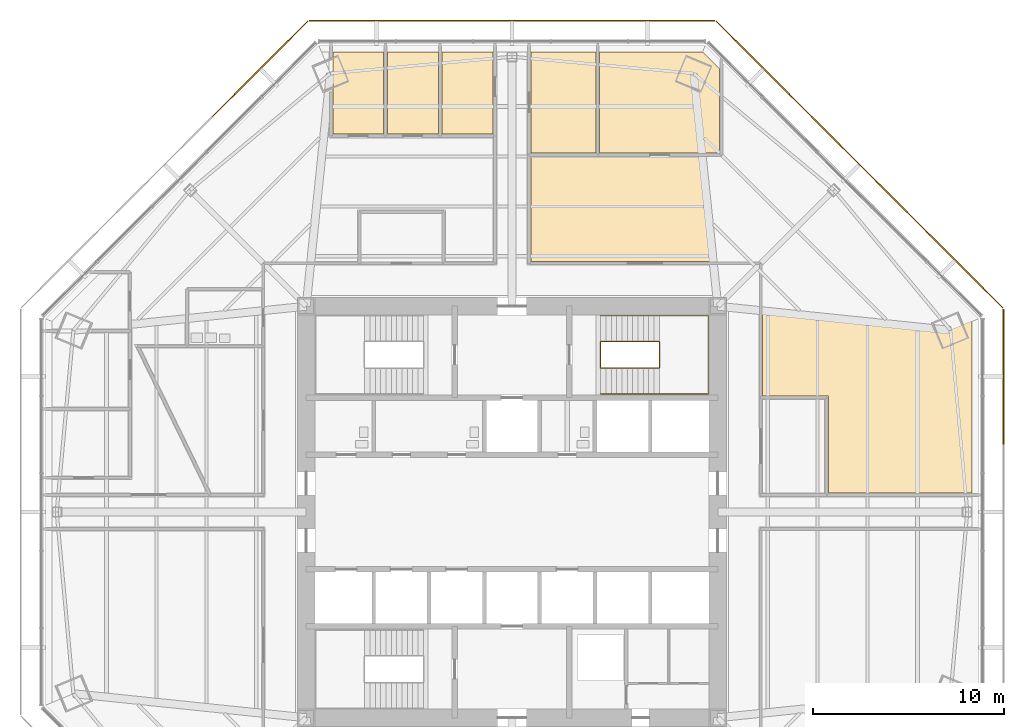
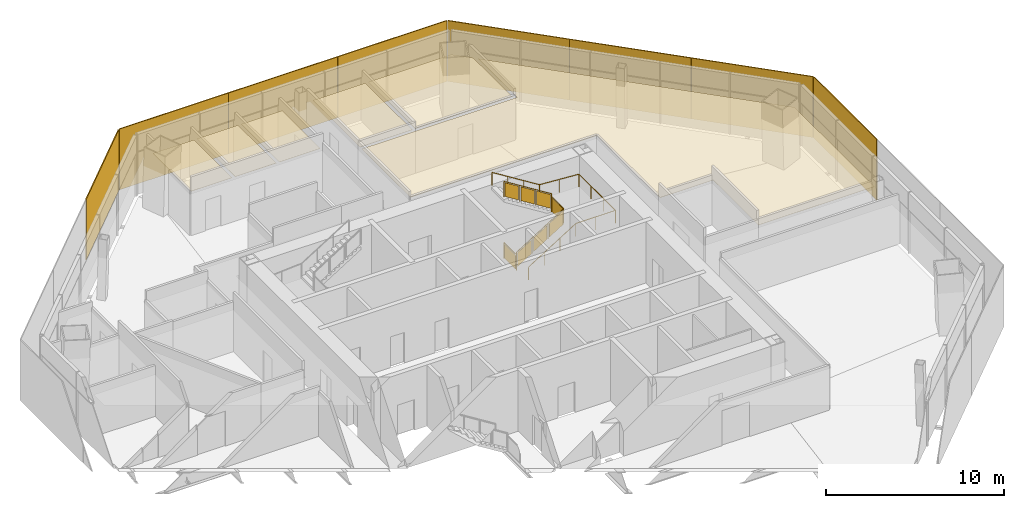
# One storey, part 13 of 14: 8 shading devices, 6 coverings, 2 railings.
"""IFC4 building model written with IfcOpenShell, lengths in metres."""

from ifc_helpers import new_model, si_unit, direction, frame, origin, origin_2d, place, context, subcontext, project, spatial, polyline, rectangle, circle, outline, extrude, source, transform, mapped, material, layer, layer_set, type_object, type_shapes, element, save


model = new_model("IFC4")

# Units and contexts
model_context = context("Model", 3, precision=1e-05, world=origin(), true_north=direction((0.0, 1.0)))
body_context = subcontext(model_context, "Body", "Model", "MODEL_VIEW")
ifc_project = project(units=[si_unit("LENGTHUNIT", "METRE"), si_unit("AREAUNIT", "SQUARE_METRE"), si_unit("VOLUMEUNIT", "CUBIC_METRE"), si_unit("PLANEANGLEUNIT", "RADIAN"), si_unit("MASSUNIT", "GRAM", prefix="KILO")], contexts=[model_context])

# Site, building, storey
site_placement = place(None, origin())
site = spatial("IfcSite", under=ifc_project, at=site_placement, CompositionType="ELEMENT")
building_placement = place(site_placement, origin())
building = spatial("IfcBuilding", under=site, at=building_placement, Name="Mashrafa Tower", CompositionType="ELEMENT")
storey_placement = place(building_placement, frame((0.0, 0.0, 117.60009765625)))
storey = spatial("IfcBuildingStorey", under=building, at=storey_placement, Name="L26", CompositionType="ELEMENT", Elevation=117.60009765625)

# Railings
ifc_material_1 = material(Name="Steel guard with glass infill", Category="steel")
railing_type_1 = type_object("IfcRailingType", Name="Stair guard 1100", PredefinedType="GUARDRAIL", material=ifc_material_1)
railing_1_placement = place(storey_placement, frame((4.64990234375, 8.949951171875, 0.0)))
element("IfcRailing", 1, at=railing_1_placement, inside=storey, type_object=railing_type_1, Name="Stair S2 guard L26", PredefinedType="GUARDRAIL", context=body_context, shape_type="SweptSolid", body=[
    extrude(circle(Radius=0.02392578125, at=origin_2d()), frame((0.0, 0.0, 1.076171875), z_axis=(0.0, -1.0, 0.0), x_axis=(1.0, 0.0, 0.0)), (0.0, 0.0, 1.0), 1.39990234375),
    extrude(circle(Radius=0.02392578125, at=origin_2d()), frame((0.0, -1.39990234375, 1.076171875), z_axis=(0.0, 0.0, 1.0), x_axis=(1.0, 0.0, 0.0)), (0.0, 0.0, 1.0), 0.1748046875),
    extrude(circle(Radius=0.02392578125, at=origin_2d()), frame((0.0, -1.39990234375, 1.2509765625), z_axis=(0.847998304005, 0.0, 0.529998940003), x_axis=(0.0, 1.0, 0.0)), (0.0, 0.0, 1.0), 3.632080078125),
    extrude(circle(Radius=0.02392578125, at=origin_2d()), frame((3.080078125, -1.39990234375, 3.17578125), z_axis=(0.0, 1.0, 0.0), x_axis=(-1.0, 0.0, 0.0)), (0.0, 0.0, 1.0), 1.39990234375),
    extrude(circle(Radius=0.02392578125, at=origin_2d()), frame((3.080078125, 0.0, 3.17578125), z_axis=(0.0, 0.0, 1.0), x_axis=(1.0, 0.0, 0.0)), (0.0, 0.0, 1.0), 0.175048828125),
    extrude(circle(Radius=0.02392578125, at=origin_2d()), frame((3.080078125, 0.0, 3.35107421875), z_axis=(-0.847998304005, 0.0, 0.529998940003), x_axis=(0.0, -1.0, 0.0)), (0.0, 0.0, 1.0), 3.632080078125),
    extrude(circle(Radius=0.02099609375, at=origin_2d()), origin(), (0.0, 0.0, 1.0), 1.052001953125),
    extrude(circle(Radius=0.02099609375, at=origin_2d()), frame((0.0, -1.39990234375, 0.0)), (0.0, 0.0, 1.0), 1.052001953125),
    extrude(circle(Radius=0.02099609375, at=origin_2d()), frame((0.0, -1.39990234375, 0.1748046875)), (0.0, 0.0, 1.0), 1.052001953125),
    extrude(circle(Radius=0.02099609375, at=origin_2d()), frame((1.026611328125, -1.39990234375, 0.81640625)), (0.0, 0.0, 1.0), 1.052001953125),
    extrude(circle(Radius=0.02099609375, at=origin_2d()), frame((2.053466796875, -1.39990234375, 1.458251953125)), (0.0, 0.0, 1.0), 1.052001953125),
    extrude(circle(Radius=0.02099609375, at=origin_2d()), frame((3.080078125, -1.39990234375, 2.099853515625)), (0.0, 0.0, 1.0), 1.052001953125),
    extrude(circle(Radius=0.02099609375, at=origin_2d()), frame((3.080078125, 0.0, 2.099853515625)), (0.0, 0.0, 1.0), 1.052001953125),
    extrude(circle(Radius=0.02099609375, at=origin_2d()), frame((3.080078125, 0.0, 2.27490234375)), (0.0, 0.0, 1.0), 1.052001953125),
    extrude(circle(Radius=0.02099609375, at=origin_2d()), frame((2.053466796875, 0.0, 2.91650390625)), (0.0, 0.0, 1.0), 1.052001953125),
    extrude(circle(Radius=0.02099609375, at=origin_2d()), frame((1.026611328125, 0.0, 3.558349609375)), (0.0, 0.0, 1.0), 1.052001953125),
    extrude(circle(Radius=0.02099609375, at=origin_2d()), frame((0.0, 0.0, 4.199951171875)), (0.0, 0.0, 1.0), 1.052001953125),
    extrude(outline(polyline([(0.071044921875, 0.050048828125), (1.328857421875, 0.050048828125), (1.328857421875, 1.001953125), (0.071044921875, 1.001953125), (0.071044921875, 0.050048828125)])), frame((-0.006103515625, 0.0, 0.0), z_axis=(-1.0, 0.0, 0.0), x_axis=(0.0, -1.0, 0.0)), (0.0, 0.0, 1.0), 0.011962890625),
    extrude(outline(polyline([(0.071044921875, 0.094482421875), (0.955810546875, 0.647216796875), (0.955810546875, 1.599365234375), (0.071044921875, 1.04638671875), (0.071044921875, 0.094482421875)])), frame((0.0, -1.406005859375, 0.1748046875), z_axis=(0.0, -1.0, 0.0), x_axis=(1.0, 0.0, 0.0)), (0.0, 0.0, 1.0), 0.011962890625),
    extrude(outline(polyline([(1.09765625, 0.736083984375), (1.982421875, 1.2890625), (1.982421875, 2.240966796875), (1.09765625, 1.68798828125), (1.09765625, 0.736083984375)])), frame((0.0, -1.406005859375, 0.1748046875), z_axis=(0.0, -1.0, 0.0), x_axis=(1.0, 0.0, 0.0)), (0.0, 0.0, 1.0), 0.011962890625),
    extrude(outline(polyline([(2.124267578125, 1.377685546875), (3.009033203125, 1.9306640625), (3.009033203125, 2.882568359375), (2.124267578125, 2.329833984375), (2.124267578125, 1.377685546875)])), frame((0.0, -1.406005859375, 0.1748046875), z_axis=(0.0, -1.0, 0.0), x_axis=(1.0, 0.0, 0.0)), (0.0, 0.0, 1.0), 0.011962890625),
    extrude(outline(polyline([(0.071044921875, 0.050048828125), (1.328857421875, 0.050048828125), (1.328857421875, 1.001953125), (0.071044921875, 1.001953125), (0.071044921875, 0.050048828125)])), frame((3.086181640625, -1.39990234375, 2.099853515625), z_axis=(1.0, 0.0, 0.0), x_axis=(0.0, 1.0, 0.0)), (0.0, 0.0, 1.0), 0.011962890625),
    extrude(outline(polyline([(0.071044921875, 0.094482421875), (0.955810546875, 0.647216796875), (0.955810546875, 1.599365234375), (0.071044921875, 1.04638671875), (0.071044921875, 0.094482421875)])), frame((3.080078125, 0.006103515625, 2.27490234375), z_axis=(0.0, 1.0, 0.0), x_axis=(-1.0, 0.0, 0.0)), (0.0, 0.0, 1.0), 0.011962890625),
    extrude(outline(polyline([(1.09765625, 0.736083984375), (1.982421875, 1.2890625), (1.982421875, 2.240966796875), (1.09765625, 1.68798828125), (1.09765625, 0.736083984375)])), frame((3.080078125, 0.006103515625, 2.27490234375), z_axis=(0.0, 1.0, 0.0), x_axis=(-1.0, 0.0, 0.0)), (0.0, 0.0, 1.0), 0.011962890625),
    extrude(outline(polyline([(2.124267578125, 1.377685546875), (3.009033203125, 1.9306640625), (3.009033203125, 2.882568359375), (2.124267578125, 2.329833984375), (2.124267578125, 1.377685546875)])), frame((3.080078125, 0.006103515625, 2.27490234375), z_axis=(0.0, 1.0, 0.0), x_axis=(-1.0, 0.0, 0.0)), (0.0, 0.0, 1.0), 0.011962890625),
])
ifc_material_2 = material(Name="Steel", Category="steel")
railing_type_2 = type_object("IfcRailingType", Name="Stair handrail 900", PredefinedType="HANDRAIL", material=ifc_material_2)
railing_2_placement = place(storey_placement, frame((4.64990234375, 6.199951171875, 0.1748046875)))
element("IfcRailing", 2, at=railing_2_placement, inside=storey, type_object=railing_type_2, Name="Stair S2 handrail L26", PredefinedType="HANDRAIL", context=body_context, shape_type="SweptSolid", body=[
    extrude(circle(Radius=0.02392578125, at=origin_2d()), frame((0.0, 0.0, 0.8759765625), z_axis=(0.847998304005, 0.0, 0.529998940003), x_axis=(0.0, 1.0, 0.0)), (0.0, 0.0, 1.0), 3.632080078125),
    extrude(circle(Radius=0.02392578125, at=origin_2d()), frame((3.080078125, 0.0, 2.80078125), z_axis=(1.0, 0.0, 0.0), x_axis=(0.0, 1.0, 0.0)), (0.0, 0.0, 1.0), 2.570068359375),
    extrude(circle(Radius=0.02392578125, at=origin_2d()), frame((5.650146484375, 0.0, 2.80078125), z_axis=(0.0, 1.0, 0.0), x_axis=(-1.0, 0.0, 0.0)), (0.0, 0.0, 1.0), 4.10009765625),
    extrude(circle(Radius=0.02392578125, at=origin_2d()), frame((5.650146484375, 4.10009765625, 2.80078125), z_axis=(-0.997688514158, 0.0, 0.067953136188), x_axis=(0.0, -1.0, 0.0)), (0.0, 0.0, 1.0), 2.575927734375),
    extrude(circle(Radius=0.02392578125, at=origin_2d()), frame((3.080078125, 4.10009765625, 2.97607421875), z_axis=(-0.847998304005, 0.0, 0.529998940003), x_axis=(0.0, -1.0, 0.0)), (0.0, 0.0, 1.0), 3.632080078125),
    extrude(circle(Radius=0.02099609375, at=origin_2d()), origin(), (0.0, 0.0, 1.0), 0.851806640625),
    extrude(circle(Radius=0.02099609375, at=origin_2d()), frame((1.026611328125, 0.0, 0.6416015625)), (0.0, 0.0, 1.0), 0.851806640625),
    extrude(circle(Radius=0.02099609375, at=origin_2d()), frame((2.053466796875, 0.0, 1.283447265625)), (0.0, 0.0, 1.0), 0.851806640625),
    extrude(circle(Radius=0.02099609375, at=origin_2d()), frame((3.080078125, 0.0, 1.925048828125)), (0.0, 0.0, 1.0), 0.851806640625),
    extrude(circle(Radius=0.02099609375, at=origin_2d()), frame((4.365234375, 0.0, 1.925048828125)), (0.0, 0.0, 1.0), 0.851806640625),
    extrude(circle(Radius=0.02099609375, at=origin_2d()), frame((5.650146484375, 0.0, 1.925048828125)), (0.0, 0.0, 1.0), 0.851806640625),
    extrude(circle(Radius=0.02099609375, at=origin_2d()), frame((5.650146484375, 1.36669921875, 1.925048828125)), (0.0, 0.0, 1.0), 0.851806640625),
    extrude(circle(Radius=0.02099609375, at=origin_2d()), frame((5.650146484375, 2.7333984375, 1.925048828125)), (0.0, 0.0, 1.0), 0.851806640625),
    extrude(circle(Radius=0.02099609375, at=origin_2d()), frame((5.650146484375, 4.10009765625, 1.925048828125)), (0.0, 0.0, 1.0), 0.851806640625),
    extrude(circle(Radius=0.02099609375, at=origin_2d()), frame((4.365234375, 4.10009765625, 2.0126953125)), (0.0, 0.0, 1.0), 0.851806640625),
    extrude(circle(Radius=0.02099609375, at=origin_2d()), frame((3.080078125, 4.10009765625, 2.10009765625)), (0.0, 0.0, 1.0), 0.851806640625),
    extrude(circle(Radius=0.02099609375, at=origin_2d()), frame((2.053466796875, 4.10009765625, 2.74169921875)), (0.0, 0.0, 1.0), 0.851806640625),
    extrude(circle(Radius=0.02099609375, at=origin_2d()), frame((1.026611328125, 4.10009765625, 3.383544921875)), (0.0, 0.0, 1.0), 0.851806640625),
    extrude(circle(Radius=0.02099609375, at=origin_2d()), frame((0.0, 4.10009765625, 4.025146484375)), (0.0, 0.0, 1.0), 0.851806640625),
])

# Coverings
ifc_material_3 = material(Name="Mineral fibre tile on suspension grid")
ifc_layer_1 = layer(ifc_material_3, 0.014892578125)
ifc_layer_set_1 = layer_set([ifc_layer_1], Name="Suspended ceiling mineral tile 15")
covering_type = type_object("IfcCoveringType", Name="Suspended ceiling mineral tile 15", PredefinedType="CEILING", material=ifc_layer_set_1)
covering_1_placement = place(storey_placement, frame((0.0, 0.0, 2.89990234375)))
element("IfcCovering", 3, at=covering_1_placement, inside=storey, type_object=covering_type, Name="Ceiling Director General's Office 26-NE", PredefinedType="CEILING", context=body_context, shape_type="SweptSolid", body=[
    extrude(outline(polyline([(4.60009765625, 24.137939453125), (9.998291015625, 24.137939453125), (10.89990234375, 23.236328125), (10.89990234375, 18.837890625), (4.60009765625, 18.837890625), (4.60009765625, 24.137939453125)])), origin(), (0.0, 0.0, 1.0), 0.014892578125),
])
covering_2_placement = place(storey_placement, frame((0.0, 0.0, 2.89990234375)))
element("IfcCovering", 4, at=covering_2_placement, inside=storey, type_object=covering_type, Name="Ceiling Secretary's Office 26", PredefinedType="CEILING", context=body_context, shape_type="SweptSolid", body=[
    extrude(outline(polyline([(1.0, 24.137939453125), (4.39990234375, 24.137939453125), (4.39990234375, 18.837890625), (1.0, 18.837890625), (1.0, 24.137939453125)])), origin(), (0.0, 0.0, 1.0), 0.014892578125),
])
covering_3_placement = place(storey_placement, frame((0.0, 0.0, 2.89990234375)))
element("IfcCovering", 5, at=covering_3_placement, inside=storey, type_object=covering_type, Name="Ceiling Meeting Room 26-1", PredefinedType="CEILING", context=body_context, shape_type="SweptSolid", body=[
    extrude(outline(polyline([(-3.6689453125, 24.137939453125), (-1.0, 24.137939453125), (-1.0, 19.837890625), (-3.6689453125, 19.837890625), (-3.6689453125, 24.137939453125)])), origin(), (0.0, 0.0, 1.0), 0.014892578125),
])
covering_4_placement = place(storey_placement, frame((0.0, 0.0, 2.89990234375)))
element("IfcCovering", 6, at=covering_4_placement, inside=storey, type_object=covering_type, Name="Ceiling Meeting Room 26-NW-1", PredefinedType="CEILING", context=body_context, shape_type="SweptSolid", body=[
    extrude(outline(polyline([(-6.537109375, 24.137939453125), (-3.868896484375, 24.137939453125), (-3.868896484375, 19.837890625), (-6.537109375, 19.837890625), (-6.537109375, 24.137939453125)])), origin(), (0.0, 0.0, 1.0), 0.014892578125),
])
covering_5_placement = place(storey_placement, frame((0.0, 0.0, 2.89990234375)))
element("IfcCovering", 7, at=covering_5_placement, inside=storey, type_object=covering_type, Name="Ceiling Meeting Room 26-NW-2", PredefinedType="CEILING", context=body_context, shape_type="SweptSolid", body=[
    extrude(outline(polyline([(-9.406005859375, 24.137939453125), (-6.737060546875, 24.137939453125), (-6.737060546875, 19.837890625), (-9.406005859375, 19.837890625), (-9.406005859375, 24.137939453125)])), origin(), (0.0, 0.0, 1.0), 0.014892578125),
])
covering_6_placement = place(storey_placement, frame((0.0, 0.0, 2.89990234375)))
element("IfcCovering", 8, at=covering_6_placement, inside=storey, type_object=covering_type, Name="Ceiling Agency Services Office 26-NE", PredefinedType="CEILING", context=body_context, shape_type="SweptSolid", body=[
    extrude(outline(polyline([(11.10009765625, 23.036376953125), (24.137939453125, 9.998291015625), (24.137939453125, 1.0), (16.60009765625, 1.0), (16.60009765625, 6.10009765625), (13.14990234375, 6.10009765625), (13.14990234375, 13.14990234375), (1.0, 13.14990234375), (1.0, 18.637939453125), (11.10009765625, 18.637939453125), (11.10009765625, 23.036376953125)])), origin(), (0.0, 0.0, 1.0), 0.014892578125),
])

# Shading devices
ifc_material_4 = material(Name="Perforated aluminium plate, eight-point star pattern", Category="aluminium")
ifc_layer_2 = layer(ifc_material_4, 0.06005859375)
ifc_layer_set_2 = layer_set([ifc_layer_2], Name="Mashrabiya screen panel office zone 2, 40 percent open")
shading_device_type = type_object("IfcShadingDeviceType", Name="Mashrabiya screen panel office zone 2, 40 percent open", PredefinedType="SHUTTER", material=ifc_layer_set_2)
shared_shape = source(origin(), body_context, "Body", "SweptSolid", [
    extrude(rectangle(XDim=7.086181640625, YDim=0.06005859375, at=origin_2d()), origin(), (0.0, 0.0, 1.0), 4.179931640625),
])
type_shapes(shading_device_type, [shared_shape])
for number, where, z_axis, x_axis, name in (
    (9, (25.7880859375, 7.106201171875, -0.14990234375), (0.0, 0.0, 1.0), (0.0, 1.0, 0.0), "Mashrabiya screen L26 east 3"),
    (10, (23.259765625, 13.2099609375, -0.14990234375), (0.0, 0.0, 1.0), (-0.707106781187, 0.707106781187, 0.0), "Mashrabiya screen L26 north-east 1"),
    (11, (18.23486328125, 18.23486328125, -0.14990234375), (0.0, 0.0, 1.0), (-0.707106781187, 0.707106781187, 0.0), "Mashrabiya screen L26 north-east 2"),
    (12, (13.2099609375, 23.259765625, -0.14990234375), (0.0, 0.0, 1.0), (-0.707106781187, 0.707106781187, 0.0), "Mashrabiya screen L26 north-east 3"),
    (13, (7.106201171875, 25.7880859375, -0.14990234375), (0.0, 0.0, 1.0), (-1.0, 0.0, 0.0), "Mashrabiya screen L26 north 1"),
    (14, (0.0, 25.7880859375, -0.14990234375), (0.0, 0.0, 1.0), (-1.0, 0.0, 0.0), "Mashrabiya screen L26 north 2"),
    (15, (-7.106201171875, 25.7880859375, -0.14990234375), (0.0, 0.0, 1.0), (-1.0, 0.0, 0.0), "Mashrabiya screen L26 north 3"),
    (16, (-13.2099609375, 23.259765625, -0.14990234375), (0.0, 0.0, 1.0), (-0.707106781187, -0.707106781187, 0.0), "Mashrabiya screen L26 north-west 1"),
):
    element("IfcShadingDevice", number, at=place(storey_placement, frame(where, z_axis=z_axis, x_axis=x_axis)), inside=storey, type_object=shading_device_type, Name=name, PredefinedType="SHUTTER", context=body_context, shape_type="MappedRepresentation", body=[
        mapped(shared_shape, transform((0.0, 0.0, 0.0))),
    ])

save(model, "model.ifc")
